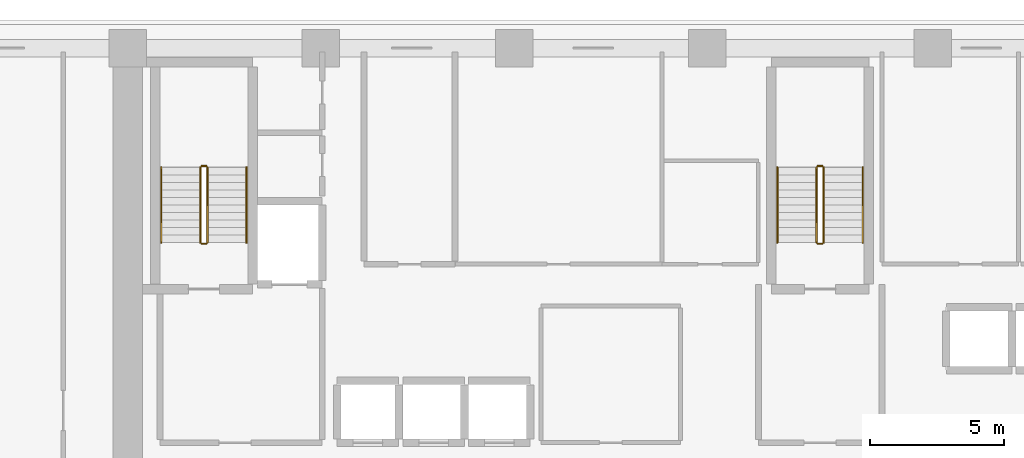
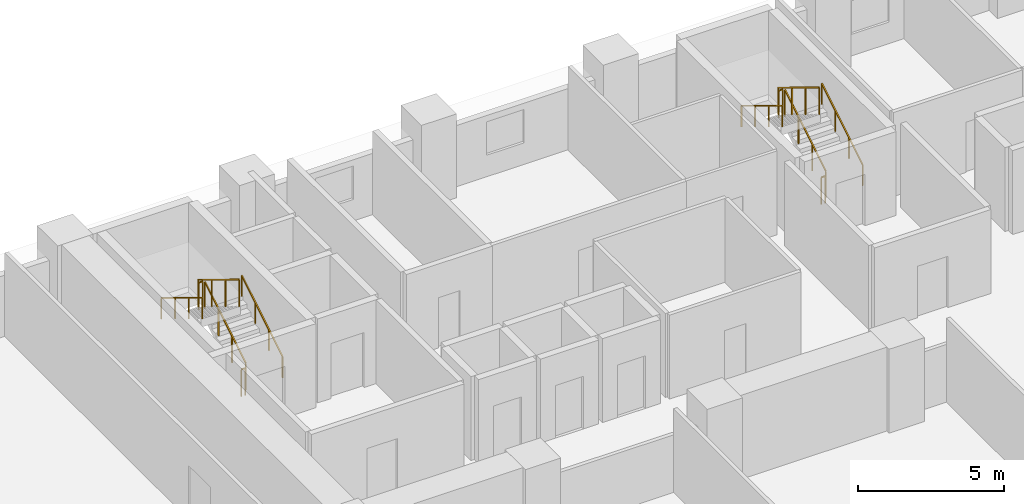
# One storey, part 13 of 15: 12 railings.
"""IFC4 building model written with IfcOpenShell, lengths in metres."""

import ifcopenshell
import ifcopenshell.guid

model = None  # the IFC model being written
_history = None  # IfcOwnerHistory: only IFC2X3 demands one
_inside = {}  # id of a spatial element -> (the spatial element, [elements in it])
_under = {}  # id of a project, library or spatial element -> (it, [spatial elements below it])
_declared = {}  # id of a project -> (the project, [libraries it declares])
_typed = {}  # id of a type object -> (the type object, [elements of that type])
_made_of = {}  # id of a material, layer set ... -> (it, [elements and type objects made of it])


def new_model(schema):
    """Start an empty IFC model of exactly this schema.

    Asked for "IFC4X3", IfcOpenShell would pick the latest addendum, in which some entities
    have other attributes; the version numbers below select the first issue.
    IFC2X3 requires an IfcOwnerHistory on every rooted entity: one is made here for all.
    """
    global model, _history
    if schema == "IFC4X3":
        model = ifcopenshell.file(schema_version=(4, 3, 0, 0))
    else:
        model = ifcopenshell.file(schema=schema)
    _inside.clear()
    _under.clear()
    _declared.clear()
    _typed.clear()
    _made_of.clear()
    _history = None
    if model.schema == "IFC2X3":
        org = make("IfcOrganization", Name="unknown")
        user = make(
            "IfcPersonAndOrganization",
            ThePerson=make("IfcPerson", FamilyName="unknown"),
            TheOrganization=org,
        )
        app = make(
            "IfcApplication",
            ApplicationDeveloper=org,
            Version="unknown",
            ApplicationFullName="unknown",
            ApplicationIdentifier="unknown",
        )
        _history = make(
            "IfcOwnerHistory",
            OwningUser=user,
            OwningApplication=app,
            ChangeAction="ADDED",
            CreationDate=0,
        )
    return model


def make(cls, **values):
    """One entity of the class cls with the attributes given. An attribute that is None is left unset."""
    return model.create_entity(
        cls, **{name: value for name, value in values.items() if value is not None}
    )


def rooted(cls, **values):
    """An entity with a GlobalId (a new one), such as an element, a storey or a relation."""
    return make(cls, GlobalId=ifcopenshell.guid.new(), OwnerHistory=_history, **values)


def si_unit(unit_type, name, prefix=None):
    """IfcSIUnit, for example si_unit("LENGTHUNIT", "METRE", prefix="MILLI")."""
    return make("IfcSIUnit", UnitType=unit_type, Prefix=prefix, Name=name)


def assignment(units):
    """IfcUnitAssignment: the units of a project."""
    return None if units is None else make("IfcUnitAssignment", Units=units)


def point(xyz):
    """IfcCartesianPoint."""
    return None if xyz is None else make("IfcCartesianPoint", Coordinates=xyz)


def direction(xyz):
    """IfcDirection."""
    return None if xyz is None else make("IfcDirection", DirectionRatios=xyz)


def frame(location, z_axis=None, x_axis=None):
    """IfcAxis2Placement3D, a coordinate frame: its origin and axes. An axis left out is left unset."""
    return make(
        "IfcAxis2Placement3D",
        Location=point(location),
        Axis=direction(z_axis),
        RefDirection=direction(x_axis),
    )


def frame_2d(location, x_axis=None):
    """IfcAxis2Placement2D, a coordinate frame in the plane: its origin and x axis."""
    return make(
        "IfcAxis2Placement2D", Location=point(location), RefDirection=direction(x_axis)
    )


def origin():
    """The frame at (0, 0, 0) with its axes left unset."""
    return frame((0.0, 0.0, 0.0))


def origin_2d():
    """The frame at (0, 0) in the plane with its x axis left unset."""
    return frame_2d((0.0, 0.0))


def place(relative_to, where):
    """IfcLocalPlacement: puts the frame where relative to a parent placement (None: the world)."""
    return make(
        "IfcLocalPlacement", PlacementRelTo=relative_to, RelativePlacement=where
    )


def context(
    kind, dimensions, precision=None, world=None, true_north=None, identifier=None
):
    """IfcGeometricRepresentationContext, for example the 3D "Model" context."""
    return make(
        "IfcGeometricRepresentationContext",
        ContextIdentifier=identifier,
        ContextType=kind,
        CoordinateSpaceDimension=dimensions,
        Precision=precision,
        WorldCoordinateSystem=world,
        TrueNorth=true_north,
    )


def subcontext(parent, identifier, kind, view, scale=None):
    """IfcGeometricRepresentationSubContext, for example "Body" below "Model"."""
    return make(
        "IfcGeometricRepresentationSubContext",
        ContextIdentifier=identifier,
        ContextType=kind,
        ParentContext=parent,
        TargetScale=scale,
        TargetView=view,
    )


def project(units=None, contexts=None):
    """IfcProject with its units and contexts."""
    return rooted(
        "IfcProject",
        Name="project",
        RepresentationContexts=contexts,
        UnitsInContext=assignment(units),
    )


def spatial(cls, under=None, at=None, **own):
    """A site, building, storey or space (cls), placed at a placement, below another one or the project."""
    s = rooted(cls, ObjectPlacement=at, **own)
    if under is not None:
        _under.setdefault(under.id(), (under, []))[1].append(s)
    return s


def profile(cls, at=None, kind="AREA", **sizes):
    """A parametric profile (cls). Its sizes go by their IFC names, for example OverallWidth=200.0."""
    return make(cls, ProfileType=kind, Position=at, **sizes)


def rectangle(**sizes):
    """IfcRectangleProfileDef."""
    return profile("IfcRectangleProfileDef", **sizes)


def extrude(swept, where, along, depth):
    """IfcExtrudedAreaSolid: the profile swept, set in the frame where, extruded along a direction by depth."""
    return make(
        "IfcExtrudedAreaSolid",
        SweptArea=swept,
        Position=where,
        ExtrudedDirection=direction(along),
        Depth=depth,
    )


def shape(context_of_items, identifier, shape_type, items):
    """IfcShapeRepresentation: the items that make up one representation, for example the "Body"."""
    return make(
        "IfcShapeRepresentation",
        ContextOfItems=context_of_items,
        RepresentationIdentifier=identifier,
        RepresentationType=shape_type,
        Items=items,
    )


def material(Name=None, Category=None):
    """IfcMaterial."""
    return make("IfcMaterial", Name=Name, Category=Category)


def made_of(thing, what):
    """Note that an element or type object is made of a material, layer set ...; save() writes the relation."""
    if what is not None:
        _made_of.setdefault(what.id(), (what, []))[1].append(thing)
    return thing


def type_object(cls, material=None, **own):
    """A type object (cls), such as IfcWallType, which elements share."""
    return made_of(rooted(cls, **own), material)


def element(
    cls,
    number,
    at=None,
    inside=None,
    cuts=None,
    type_object=None,
    material=None,
    context=None,
    identifier="Body",
    shape_type=None,
    held_by="IfcProductDefinitionShape",
    body=None,
    shapes=None,
    **own,
):
    """One element of the class cls, such as IfcWall. Its Tag is "e" and its number.

    at: its placement. inside: the storey or other place that contains it. cuts: it is an
    opening in that element (IfcRelVoidsElement). A single representation is given by context,
    identifier, shape_type and body (its items); several are given by shapes. held_by: the class
    of the entity that holds the representations. save() writes the other relations.
    """
    e = rooted(cls, Tag="e%d" % number, ObjectPlacement=at, **own)
    if body is not None:
        shapes = [shape(context, identifier, shape_type, body)]
    if shapes is not None:
        e.Representation = make(held_by, Representations=shapes)
    if inside is not None:
        _inside.setdefault(inside.id(), (inside, []))[1].append(e)
    if cuts is not None:
        rooted(
            "IfcRelVoidsElement", RelatingBuildingElement=cuts, RelatedOpeningElement=e
        )
    if type_object is not None:
        _typed.setdefault(type_object.id(), (type_object, []))[1].append(e)
    return made_of(e, material)


def aggregate(whole, parts):
    """IfcRelAggregates: a whole, such as a stair, and the parts it consists of."""
    return rooted("IfcRelAggregates", RelatingObject=whole, RelatedObjects=parts)


def save(model, path):
    """Write the relations noted so far, then the file.

    IfcRelAggregates (storeys below a building ...), IfcRelContainedInSpatialStructure (elements
    in a storey), IfcRelDefinesByType, IfcRelAssociatesMaterial and IfcRelDeclares: one each for
    every whole, place, type object, material and project.
    """
    for whole, parts in _under.values():
        aggregate(whole, parts)
    for where, things in _inside.values():
        rooted(
            "IfcRelContainedInSpatialStructure",
            RelatedElements=things,
            RelatingStructure=where,
        )
    for kind, things in _typed.values():
        rooted("IfcRelDefinesByType", RelatedObjects=things, RelatingType=kind)
    for what, things in _made_of.values():
        rooted("IfcRelAssociatesMaterial", RelatedObjects=things, RelatingMaterial=what)
    for by, libraries in _declared.values():
        rooted("IfcRelDeclares", RelatingContext=by, RelatedDefinitions=libraries)
    model.write(path)


model = new_model("IFC4")

# Units and contexts
model_context = context("Model", 3, precision=1e-05, world=origin(), true_north=direction((0.0, 1.0)))
body_context = subcontext(model_context, "Body", "Model", "MODEL_VIEW")
ifc_project = project(units=[si_unit("LENGTHUNIT", "METRE"), si_unit("AREAUNIT", "SQUARE_METRE"), si_unit("VOLUMEUNIT", "CUBIC_METRE"), si_unit("PLANEANGLEUNIT", "RADIAN"), si_unit("MASSUNIT", "GRAM", prefix="KILO")], contexts=[model_context])

# Site, building, storey
site_placement = place(None, origin())
site = spatial("IfcSite", under=ifc_project, at=site_placement, CompositionType="ELEMENT")
building_placement = place(site_placement, origin())
building = spatial("IfcBuilding", under=site, at=building_placement, Name="Kaelvorn Grand Hotel", CompositionType="ELEMENT")
storey_placement = place(building_placement, frame((0.0, 0.0, 50.14990234375)))
storey = spatial("IfcBuildingStorey", under=building, at=storey_placement, Name="L10", CompositionType="ELEMENT", Elevation=50.14990234375)

# Railings
ifc_material = material(Name="Stainless Steel", Category="steel")
railing_type_1 = type_object("IfcRailingType", Name="RL-HANDRAIL-900", PredefinedType="HANDRAIL", material=ifc_material)
railing_1_placement = place(storey_placement, frame((20.6298828125, 41.760009765625, 0.170654296875)))
element("IfcRailing", 1, at=railing_1_placement, inside=storey, type_object=railing_type_1, Name="L10 ST1 stair handrail 1", PredefinedType="HANDRAIL", context=body_context, shape_type="SweptSolid", body=[
    extrude(rectangle(XDim=0.048095703125, YDim=0.048095703125, at=origin_2d()), frame((0.0, 0.0, 0.8759765625), z_axis=(0.0, 0.854202870247, 0.519939858505), x_axis=(-1.0, 0.0, 0.0)), (0.0, 0.0, 1.0), 3.278076171875),
    extrude(rectangle(XDim=0.0419921875, YDim=0.0419921875, at=origin_2d()), origin(), (0.0, 0.0, 1.0), 0.851806640625),
    extrude(rectangle(XDim=0.0419921875, YDim=0.0419921875, at=origin_2d()), frame((0.0, 0.933349609375, 0.568115234375)), (0.0, 0.0, 1.0), 0.851806640625),
    extrude(rectangle(XDim=0.0419921875, YDim=0.0419921875, at=origin_2d()), frame((0.0, 1.86669921875, 1.13623046875)), (0.0, 0.0, 1.0), 0.851806640625),
    extrude(rectangle(XDim=0.0419921875, YDim=0.0419921875, at=origin_2d()), frame((0.0, 2.800048828125, 1.704345703125)), (0.0, 0.0, 1.0), 0.851806640625),
])
railing_2_placement = place(storey_placement, frame((17.449951171875, 44.56005859375, 2.045654296875)))
element("IfcRailing", 2, at=railing_2_placement, inside=storey, type_object=railing_type_1, Name="L10 ST1 stair handrail 2", PredefinedType="HANDRAIL", context=body_context, shape_type="SweptSolid", body=[
    extrude(rectangle(XDim=0.048095703125, YDim=0.048095703125, at=origin_2d()), frame((0.0, 0.0, 0.8759765625), z_axis=(0.0, -0.854202870247, 0.519939858505), x_axis=(1.0, 0.0, 0.0)), (0.0, 0.0, 1.0), 3.278076171875),
    extrude(rectangle(XDim=0.0419921875, YDim=0.0419921875, at=origin_2d()), origin(), (0.0, 0.0, 1.0), 0.851806640625),
    extrude(rectangle(XDim=0.0419921875, YDim=0.0419921875, at=origin_2d()), frame((0.0, -0.933349609375, 0.568115234375)), (0.0, 0.0, 1.0), 0.851806640625),
    extrude(rectangle(XDim=0.0419921875, YDim=0.0419921875, at=origin_2d()), frame((0.0, -1.86669921875, 1.13623046875)), (0.0, 0.0, 1.0), 0.851806640625),
    extrude(rectangle(XDim=0.0419921875, YDim=0.0419921875, at=origin_2d()), frame((0.0, -2.800048828125, 1.704345703125)), (0.0, 0.0, 1.0), 0.851806640625),
])
railing_3_placement = place(storey_placement, frame((43.590087890625, 41.760009765625, 0.170654296875)))
element("IfcRailing", 3, at=railing_3_placement, inside=storey, type_object=railing_type_1, Name="L10 ST2 stair handrail 1", PredefinedType="HANDRAIL", context=body_context, shape_type="SweptSolid", body=[
    extrude(rectangle(XDim=0.048095703125, YDim=0.048095703125, at=origin_2d()), frame((0.0, 0.0, 0.8759765625), z_axis=(0.0, 0.854202870247, 0.519939858505), x_axis=(-1.0, 0.0, 0.0)), (0.0, 0.0, 1.0), 3.278076171875),
    extrude(rectangle(XDim=0.0419921875, YDim=0.0419921875, at=origin_2d()), origin(), (0.0, 0.0, 1.0), 0.851806640625),
    extrude(rectangle(XDim=0.0419921875, YDim=0.0419921875, at=origin_2d()), frame((0.0, 0.933349609375, 0.568115234375)), (0.0, 0.0, 1.0), 0.851806640625),
    extrude(rectangle(XDim=0.0419921875, YDim=0.0419921875, at=origin_2d()), frame((0.0, 1.86669921875, 1.13623046875)), (0.0, 0.0, 1.0), 0.851806640625),
    extrude(rectangle(XDim=0.0419921875, YDim=0.0419921875, at=origin_2d()), frame((0.0, 2.800048828125, 1.704345703125)), (0.0, 0.0, 1.0), 0.851806640625),
])
railing_4_placement = place(storey_placement, frame((40.409912109375, 44.56005859375, 2.045654296875)))
element("IfcRailing", 4, at=railing_4_placement, inside=storey, type_object=railing_type_1, Name="L10 ST2 stair handrail 2", PredefinedType="HANDRAIL", context=body_context, shape_type="SweptSolid", body=[
    extrude(rectangle(XDim=0.048095703125, YDim=0.048095703125, at=origin_2d()), frame((0.0, 0.0, 0.8759765625), z_axis=(0.0, -0.854202870247, 0.519939858505), x_axis=(1.0, 0.0, 0.0)), (0.0, 0.0, 1.0), 3.278076171875),
    extrude(rectangle(XDim=0.0419921875, YDim=0.0419921875, at=origin_2d()), origin(), (0.0, 0.0, 1.0), 0.851806640625),
    extrude(rectangle(XDim=0.0419921875, YDim=0.0419921875, at=origin_2d()), frame((0.0, -0.933349609375, 0.568115234375)), (0.0, 0.0, 1.0), 0.851806640625),
    extrude(rectangle(XDim=0.0419921875, YDim=0.0419921875, at=origin_2d()), frame((0.0, -1.86669921875, 1.13623046875)), (0.0, 0.0, 1.0), 0.851806640625),
    extrude(rectangle(XDim=0.0419921875, YDim=0.0419921875, at=origin_2d()), frame((0.0, -2.800048828125, 1.704345703125)), (0.0, 0.0, 1.0), 0.851806640625),
])
railing_type_2 = type_object("IfcRailingType", Name="RL-STAIR-GUARD-1150", PredefinedType="BALUSTRADE", material=ifc_material)
railing_5_placement = place(storey_placement, frame((19.169921875, 41.760009765625, 0.170654296875)))
element("IfcRailing", 5, at=railing_5_placement, inside=storey, type_object=railing_type_2, Name="L10 ST1 stair guard 1", PredefinedType="BALUSTRADE", context=body_context, shape_type="SweptSolid", body=[
    extrude(rectangle(XDim=0.048095703125, YDim=0.048095703125, at=origin_2d()), frame((0.0, 0.0, 1.1259765625), z_axis=(0.0, 0.854202870247, 0.519939858505), x_axis=(-1.0, 0.0, 0.0)), (0.0, 0.0, 1.0), 3.278076171875),
    extrude(rectangle(XDim=0.0419921875, YDim=0.0419921875, at=origin_2d()), origin(), (0.0, 0.0, 1.0), 1.101806640625),
    extrude(rectangle(XDim=0.0419921875, YDim=0.0419921875, at=origin_2d()), frame((0.0, 0.933349609375, 0.568115234375)), (0.0, 0.0, 1.0), 1.101806640625),
    extrude(rectangle(XDim=0.0419921875, YDim=0.0419921875, at=origin_2d()), frame((0.0, 1.86669921875, 1.13623046875)), (0.0, 0.0, 1.0), 1.101806640625),
    extrude(rectangle(XDim=0.0419921875, YDim=0.0419921875, at=origin_2d()), frame((0.0, 2.800048828125, 1.704345703125)), (0.0, 0.0, 1.0), 1.101806640625),
])
railing_6_placement = place(storey_placement, frame((19.1201171875, 44.610107421875, 1.875)))
element("IfcRailing", 6, at=railing_6_placement, inside=storey, type_object=railing_type_2, Name="L10 ST1 stair guard 2", PredefinedType="BALUSTRADE", context=body_context, shape_type="SweptSolid", body=[
    extrude(rectangle(XDim=0.048095703125, YDim=0.048095703125, at=origin_2d()), frame((0.0, 0.0, 1.1259765625), z_axis=(-1.0, 0.0, 0.0), x_axis=(0.0, -1.0, 0.0)), (0.0, 0.0, 1.0), 0.16015625),
    extrude(rectangle(XDim=0.0419921875, YDim=0.0419921875, at=origin_2d()), origin(), (0.0, 0.0, 1.0), 1.101806640625),
    extrude(rectangle(XDim=0.0419921875, YDim=0.0419921875, at=origin_2d()), frame((-0.16015625, 0.0, 0.0)), (0.0, 0.0, 1.0), 1.101806640625),
])
railing_7_placement = place(storey_placement, frame((18.909912109375, 44.56005859375, 2.045654296875)))
element("IfcRailing", 7, at=railing_7_placement, inside=storey, type_object=railing_type_2, Name="L10 ST1 stair guard 3", PredefinedType="BALUSTRADE", context=body_context, shape_type="SweptSolid", body=[
    extrude(rectangle(XDim=0.048095703125, YDim=0.048095703125, at=origin_2d()), frame((0.0, 0.0, 1.1259765625), z_axis=(0.0, -0.854202870247, 0.519939858505), x_axis=(1.0, 0.0, 0.0)), (0.0, 0.0, 1.0), 3.278076171875),
    extrude(rectangle(XDim=0.0419921875, YDim=0.0419921875, at=origin_2d()), origin(), (0.0, 0.0, 1.0), 1.101806640625),
    extrude(rectangle(XDim=0.0419921875, YDim=0.0419921875, at=origin_2d()), frame((0.0, -0.933349609375, 0.568115234375)), (0.0, 0.0, 1.0), 1.101806640625),
    extrude(rectangle(XDim=0.0419921875, YDim=0.0419921875, at=origin_2d()), frame((0.0, -1.86669921875, 1.13623046875)), (0.0, 0.0, 1.0), 1.101806640625),
    extrude(rectangle(XDim=0.0419921875, YDim=0.0419921875, at=origin_2d()), frame((0.0, -2.800048828125, 1.704345703125)), (0.0, 0.0, 1.0), 1.101806640625),
])
railing_8_placement = place(storey_placement, frame((19.1201171875, 41.7099609375, 0.0)))
element("IfcRailing", 8, at=railing_8_placement, inside=storey, type_object=railing_type_2, Name="L10 ST1 stair guard 4", PredefinedType="BALUSTRADE", context=body_context, shape_type="SweptSolid", body=[
    extrude(rectangle(XDim=0.048095703125, YDim=0.048095703125, at=origin_2d()), frame((0.0, 0.0, 1.1259765625), z_axis=(-1.0, 0.0, 0.0), x_axis=(0.0, -1.0, 0.0)), (0.0, 0.0, 1.0), 0.16015625),
    extrude(rectangle(XDim=0.0419921875, YDim=0.0419921875, at=origin_2d()), origin(), (0.0, 0.0, 1.0), 1.101806640625),
    extrude(rectangle(XDim=0.0419921875, YDim=0.0419921875, at=origin_2d()), frame((-0.16015625, 0.0, 0.0)), (0.0, 0.0, 1.0), 1.101806640625),
])
railing_9_placement = place(storey_placement, frame((42.1298828125, 41.760009765625, 0.170654296875)))
element("IfcRailing", 9, at=railing_9_placement, inside=storey, type_object=railing_type_2, Name="L10 ST2 stair guard 1", PredefinedType="BALUSTRADE", context=body_context, shape_type="SweptSolid", body=[
    extrude(rectangle(XDim=0.048095703125, YDim=0.048095703125, at=origin_2d()), frame((0.0, 0.0, 1.1259765625), z_axis=(0.0, 0.854202870247, 0.519939858505), x_axis=(-1.0, 0.0, 0.0)), (0.0, 0.0, 1.0), 3.278076171875),
    extrude(rectangle(XDim=0.0419921875, YDim=0.0419921875, at=origin_2d()), origin(), (0.0, 0.0, 1.0), 1.101806640625),
    extrude(rectangle(XDim=0.0419921875, YDim=0.0419921875, at=origin_2d()), frame((0.0, 0.933349609375, 0.568115234375)), (0.0, 0.0, 1.0), 1.101806640625),
    extrude(rectangle(XDim=0.0419921875, YDim=0.0419921875, at=origin_2d()), frame((0.0, 1.86669921875, 1.13623046875)), (0.0, 0.0, 1.0), 1.101806640625),
    extrude(rectangle(XDim=0.0419921875, YDim=0.0419921875, at=origin_2d()), frame((0.0, 2.800048828125, 1.704345703125)), (0.0, 0.0, 1.0), 1.101806640625),
])
railing_10_placement = place(storey_placement, frame((42.080078125, 44.610107421875, 1.875)))
element("IfcRailing", 10, at=railing_10_placement, inside=storey, type_object=railing_type_2, Name="L10 ST2 stair guard 2", PredefinedType="BALUSTRADE", context=body_context, shape_type="SweptSolid", body=[
    extrude(rectangle(XDim=0.048095703125, YDim=0.048095703125, at=origin_2d()), frame((0.0, 0.0, 1.1259765625), z_axis=(-1.0, 0.0, 0.0), x_axis=(0.0, -1.0, 0.0)), (0.0, 0.0, 1.0), 0.16015625),
    extrude(rectangle(XDim=0.0419921875, YDim=0.0419921875, at=origin_2d()), origin(), (0.0, 0.0, 1.0), 1.101806640625),
    extrude(rectangle(XDim=0.0419921875, YDim=0.0419921875, at=origin_2d()), frame((-0.16015625, 0.0, 0.0)), (0.0, 0.0, 1.0), 1.101806640625),
])
railing_11_placement = place(storey_placement, frame((41.8701171875, 44.56005859375, 2.045654296875)))
element("IfcRailing", 11, at=railing_11_placement, inside=storey, type_object=railing_type_2, Name="L10 ST2 stair guard 3", PredefinedType="BALUSTRADE", context=body_context, shape_type="SweptSolid", body=[
    extrude(rectangle(XDim=0.048095703125, YDim=0.048095703125, at=origin_2d()), frame((0.0, 0.0, 1.1259765625), z_axis=(0.0, -0.854202870247, 0.519939858505), x_axis=(1.0, 0.0, 0.0)), (0.0, 0.0, 1.0), 3.278076171875),
    extrude(rectangle(XDim=0.0419921875, YDim=0.0419921875, at=origin_2d()), origin(), (0.0, 0.0, 1.0), 1.101806640625),
    extrude(rectangle(XDim=0.0419921875, YDim=0.0419921875, at=origin_2d()), frame((0.0, -0.933349609375, 0.568115234375)), (0.0, 0.0, 1.0), 1.101806640625),
    extrude(rectangle(XDim=0.0419921875, YDim=0.0419921875, at=origin_2d()), frame((0.0, -1.86669921875, 1.13623046875)), (0.0, 0.0, 1.0), 1.101806640625),
    extrude(rectangle(XDim=0.0419921875, YDim=0.0419921875, at=origin_2d()), frame((0.0, -2.800048828125, 1.704345703125)), (0.0, 0.0, 1.0), 1.101806640625),
])
railing_12_placement = place(storey_placement, frame((42.080078125, 41.7099609375, 0.0)))
element("IfcRailing", 12, at=railing_12_placement, inside=storey, type_object=railing_type_2, Name="L10 ST2 stair guard 4", PredefinedType="BALUSTRADE", context=body_context, shape_type="SweptSolid", body=[
    extrude(rectangle(XDim=0.048095703125, YDim=0.048095703125, at=origin_2d()), frame((0.0, 0.0, 1.1259765625), z_axis=(-1.0, 0.0, 0.0), x_axis=(0.0, -1.0, 0.0)), (0.0, 0.0, 1.0), 0.16015625),
    extrude(rectangle(XDim=0.0419921875, YDim=0.0419921875, at=origin_2d()), origin(), (0.0, 0.0, 1.0), 1.101806640625),
    extrude(rectangle(XDim=0.0419921875, YDim=0.0419921875, at=origin_2d()), frame((-0.16015625, 0.0, 0.0)), (0.0, 0.0, 1.0), 1.101806640625),
])

save(model, "model.ifc")
